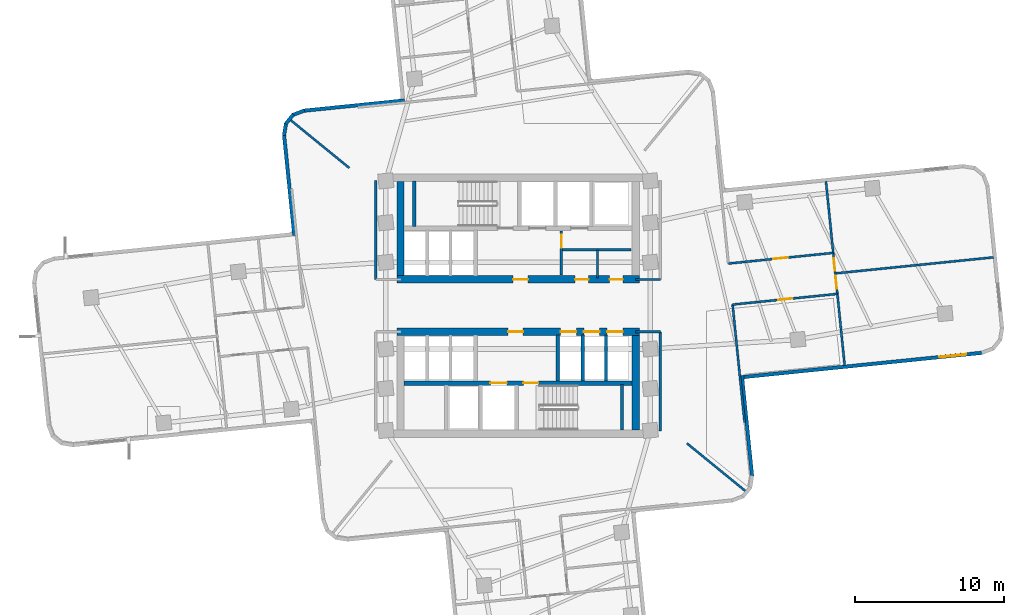
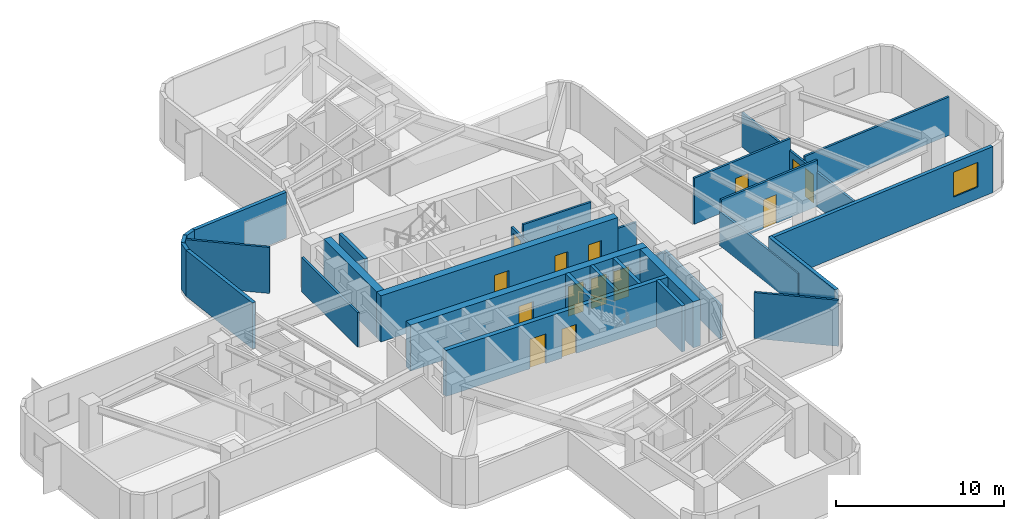
# One storey, part 4 of 9: 31 walls, 14 doors, 1 window, 15 openings.
"""IFC4 building model written with IfcOpenShell, lengths in metres."""

from ifc_helpers import new_model, si_unit, direction, frame, frame_2d, origin, place, context, subcontext, project, spatial, rectangle, extrude, material, layer, layer_set, type_object, element, fill, save


model = new_model("IFC4")

# Units and contexts
model_context = context("Model", 3, precision=1e-05, world=origin(), true_north=direction((0.0, 1.0)))
body_context = subcontext(model_context, "Body", "Model", "MODEL_VIEW")
ifc_project = project(units=[si_unit("LENGTHUNIT", "METRE"), si_unit("AREAUNIT", "SQUARE_METRE"), si_unit("VOLUMEUNIT", "CUBIC_METRE"), si_unit("PLANEANGLEUNIT", "RADIAN"), si_unit("MASSUNIT", "GRAM", prefix="KILO")], contexts=[model_context])

# Site, building, storey
site_placement = place(None, origin())
site = spatial("IfcSite", under=ifc_project, at=site_placement, CompositionType="ELEMENT")
building_placement = place(site_placement, origin())
building = spatial("IfcBuilding", under=site, at=building_placement, Name="Solmarez Civic Tower", CompositionType="ELEMENT")
storey_placement = place(building_placement, frame((0.0, 0.0, 71.280029296875)))
storey = spatial("IfcBuildingStorey", under=building, at=storey_placement, Name="L18", CompositionType="ELEMENT", Elevation=71.280029296875)

# Wall, openings, doors
ifc_material_1 = material(Name="Concrete C60/75", Category="concrete")
ifc_layer_1 = layer(ifc_material_1, 0.5)
ifc_layer_set_1 = layer_set([ifc_layer_1], Name="Concrete C60/75")
wall_type_1 = type_object("IfcWallType", Name="WALL-CORE-500", PredefinedType="SHEAR", material=ifc_layer_set_1)
wall_1_placement = place(storey_placement, frame((8.1201171875, 1.75, 0.0), z_axis=(0.0, 0.0, 1.0), x_axis=(-1.0, 0.0, 0.0)))
wall_1 = element("IfcWall", 1, at=wall_1_placement, inside=storey, type_object=wall_type_1, Name="L18 Split-Core Structural Wall NCW-S-L18", PredefinedType="SHEAR", context=body_context, shape_type="SweptSolid", body=[
    extrude(rectangle(XDim=16.240234375, YDim=0.5, at=frame_2d((8.1201171875, 0.0))), origin(), (0.0, 0.0, 1.0), 3.340087890625),
])
opening_1_placement = place(wall_1_placement, frame((7.449951171875, 0.0, 0.0)))
opening_1 = element("IfcOpeningElement", 2, at=opening_1_placement, cuts=wall_1, Name="Opening D-04", PredefinedType="OPENING", context=body_context, shape_type="SweptSolid", body=[
    extrude(rectangle(XDim=1.0, YDim=2.10009765625, at=frame_2d((0.5, 1.050048828125))), frame((0.0, 0.260009765625, 0.0), z_axis=(0.0, -1.0, 0.0), x_axis=(1.0, 0.0, 0.0)), (0.0, 0.0, 1.0), 0.52001953125),
])
opening_2_placement = place(wall_1_placement, frame((3.39990234375, 0.0, 0.0)))
opening_2 = element("IfcOpeningElement", 3, at=opening_2_placement, cuts=wall_1, Name="Opening D-09", PredefinedType="OPENING", context=body_context, shape_type="SweptSolid", body=[
    extrude(rectangle(XDim=0.89990234375, YDim=2.06005859375, at=frame_2d((0.449951171875, 1.030029296875))), frame((0.0, 0.260009765625, 0.0), z_axis=(0.0, -1.0, 0.0), x_axis=(1.0, 0.0, 0.0)), (0.0, 0.0, 1.0), 0.52001953125),
])
opening_3_placement = place(wall_1_placement, frame((1.10009765625, 0.0, 0.0)))
opening_3 = element("IfcOpeningElement", 4, at=opening_3_placement, cuts=wall_1, Name="Opening D-09", PredefinedType="OPENING", context=body_context, shape_type="SweptSolid", body=[
    extrude(rectangle(XDim=0.89990234375, YDim=2.06005859375, at=frame_2d((0.449951171875, 1.030029296875))), frame((0.0, 0.260009765625, 0.0), z_axis=(0.0, -1.0, 0.0), x_axis=(1.0, 0.0, 0.0)), (0.0, 0.0, 1.0), 0.52001953125),
])
ifc_material_2 = material(Name="Steel-Faced Acoustic Fire Door", Category="steel")
door_type_1 = type_object("IfcDoorType", Name="DOOR-FD60-1000", OperationType="NOTDEFINED", PredefinedType="DOOR", material=ifc_material_2)
door_1_placement = place(opening_1_placement, origin())
door_1 = element("IfcDoor", 5, at=door_1_placement, inside=storey, type_object=door_type_1, Name="L18 North Firefighting Lobby Door", OperationType="SINGLE_SWING_LEFT", OverallHeight=2.10009765625, OverallWidth=1.0, PredefinedType="DOOR", context=body_context, shape_type="SweptSolid", body=[
    extrude(rectangle(XDim=1.0, YDim=2.10009765625, at=frame_2d((0.5, 1.050048828125))), frame((0.0, 0.02490234375, 0.0), z_axis=(0.0, -1.0, 0.0), x_axis=(1.0, 0.0, 0.0)), (0.0, 0.0, 1.0), 0.050048828125),
])
fill(opening_1, door_1)
ifc_material_3 = material(Name="Fire-Rated Service Core Door", Category="wood")
door_type_2 = type_object("IfcDoorType", Name="DOOR-FD60-900", OperationType="NOTDEFINED", PredefinedType="DOOR", material=ifc_material_3)
door_2_placement = place(opening_2_placement, origin())
door_2 = element("IfcDoor", 6, at=door_2_placement, inside=storey, type_object=door_type_2, Name="L18 Core WC Door", OperationType="SINGLE_SWING_LEFT", OverallHeight=2.06005859375, OverallWidth=0.89990234375, PredefinedType="DOOR", context=body_context, shape_type="SweptSolid", body=[
    extrude(rectangle(XDim=0.89990234375, YDim=2.06005859375, at=frame_2d((0.449951171875, 1.030029296875))), frame((0.0, 0.02490234375, 0.0), z_axis=(0.0, -1.0, 0.0), x_axis=(1.0, 0.0, 0.0)), (0.0, 0.0, 1.0), 0.050048828125),
])
fill(opening_2, door_2)
door_3_placement = place(opening_3_placement, origin())
door_3 = element("IfcDoor", 7, at=door_3_placement, inside=storey, type_object=door_type_2, Name="L18 Core CL Door", OperationType="SINGLE_SWING_RIGHT", OverallHeight=2.06005859375, OverallWidth=0.89990234375, PredefinedType="DOOR", context=body_context, shape_type="SweptSolid", body=[
    extrude(rectangle(XDim=0.89990234375, YDim=2.06005859375, at=frame_2d((0.449951171875, 1.030029296875))), frame((0.0, 0.02490234375, 0.0), z_axis=(0.0, -1.0, 0.0), x_axis=(1.0, 0.0, 0.0)), (0.0, 0.0, 1.0), 0.050048828125),
])
fill(opening_3, door_3)

# Wall
wall_2_placement = place(storey_placement, frame((-7.8701171875, 2.0, 0.0), z_axis=(0.0, 0.0, 1.0), x_axis=(0.0, 1.0, 0.0)))
element("IfcWall", 8, at=wall_2_placement, inside=storey, type_object=wall_type_1, Name="L18 Split-Core Structural Wall NCW-W-L18", PredefinedType="SHEAR", context=body_context, shape_type="SweptSolid", body=[
    extrude(rectangle(XDim=6.31005859375, YDim=0.5, at=frame_2d((3.155029296875, 0.0))), origin(), (0.0, 0.0, 1.0), 3.340087890625),
])

# Wall, openings, doors
wall_3_placement = place(storey_placement, frame((-8.1201171875, -1.75, 0.0), z_axis=(0.0, 0.0, 1.0), x_axis=(1.0, 0.0, 0.0)))
wall_3 = element("IfcWall", 9, at=wall_3_placement, inside=storey, type_object=wall_type_1, Name="L18 Split-Core Structural Wall SCW-N-L18", PredefinedType="SHEAR", context=body_context, shape_type="SweptSolid", body=[
    extrude(rectangle(XDim=16.240234375, YDim=0.5, at=frame_2d((8.1201171875, 0.0))), origin(), (0.0, 0.0, 1.0), 3.340087890625),
])
opening_4_placement = place(wall_3_placement, frame((7.449951171875, 0.0, 0.0)))
opening_4 = element("IfcOpeningElement", 10, at=opening_4_placement, cuts=wall_3, Name="Opening D-04", PredefinedType="OPENING", context=body_context, shape_type="SweptSolid", body=[
    extrude(rectangle(XDim=1.0, YDim=2.10009765625, at=frame_2d((0.5, 1.050048828125))), frame((0.0, 0.260009765625, 0.0), z_axis=(0.0, -1.0, 0.0), x_axis=(1.0, 0.0, 0.0)), (0.0, 0.0, 1.0), 0.52001953125),
])
opening_5_placement = place(wall_3_placement, frame((10.965087890625, 0.0, 0.0)))
opening_5 = element("IfcOpeningElement", 11, at=opening_5_placement, cuts=wall_3, Name="Opening LD-01", PredefinedType="OPENING", context=body_context, shape_type="SweptSolid", body=[
    extrude(rectangle(XDim=1.050048828125, YDim=2.14990234375, at=frame_2d((0.52490234375, 1.074951171875))), frame((0.0, 0.260009765625, 0.0), z_axis=(0.0, -1.0, 0.0), x_axis=(1.0, 0.0, 0.0)), (0.0, 0.0, 1.0), 0.52001953125),
])
opening_6_placement = place(wall_3_placement, frame((12.52490234375, 0.0, 0.0)))
opening_6 = element("IfcOpeningElement", 12, at=opening_6_placement, cuts=wall_3, Name="Opening LD-01", PredefinedType="OPENING", context=body_context, shape_type="SweptSolid", body=[
    extrude(rectangle(XDim=1.050048828125, YDim=2.14990234375, at=frame_2d((0.52490234375, 1.074951171875))), frame((0.0, 0.260009765625, 0.0), z_axis=(0.0, -1.0, 0.0), x_axis=(1.0, 0.0, 0.0)), (0.0, 0.0, 1.0), 0.52001953125),
])
opening_7_placement = place(wall_3_placement, frame((14.0849609375, 0.0, 0.0)))
opening_7 = element("IfcOpeningElement", 13, at=opening_7_placement, cuts=wall_3, Name="Opening LD-01", PredefinedType="OPENING", context=body_context, shape_type="SweptSolid", body=[
    extrude(rectangle(XDim=1.050048828125, YDim=2.14990234375, at=frame_2d((0.52490234375, 1.074951171875))), frame((0.0, 0.260009765625, 0.0), z_axis=(0.0, -1.0, 0.0), x_axis=(1.0, 0.0, 0.0)), (0.0, 0.0, 1.0), 0.52001953125),
])
door_4_placement = place(opening_4_placement, origin())
door_4 = element("IfcDoor", 14, at=door_4_placement, inside=storey, type_object=door_type_1, Name="L18 South Firefighting Lobby Door", OperationType="SINGLE_SWING_RIGHT", OverallHeight=2.10009765625, OverallWidth=1.0, PredefinedType="DOOR", context=body_context, shape_type="SweptSolid", body=[
    extrude(rectangle(XDim=1.0, YDim=2.10009765625, at=frame_2d((0.5, 1.050048828125))), frame((0.0, 0.02490234375, 0.0), z_axis=(0.0, -1.0, 0.0), x_axis=(1.0, 0.0, 0.0)), (0.0, 0.0, 1.0), 0.050048828125),
])
fill(opening_4, door_4)
ifc_material_4 = material(Name="Bronze Passenger Lift Landing Sliding Door", Category="aluminium")
door_type_3 = type_object("IfcDoorType", Name="DOOR-LD-PAX-1050", OperationType="DOUBLE_DOOR_SLIDING", PredefinedType="DOOR", material=ifc_material_4)
door_5_placement = place(opening_5_placement, origin())
door_5 = element("IfcDoor", 15, at=door_5_placement, inside=storey, type_object=door_type_3, Name="L18 Low-Rise Lift Landing Door PL-L1", OperationType="DOUBLE_DOOR_SLIDING", OverallHeight=2.14990234375, OverallWidth=1.050048828125, PredefinedType="DOOR", context=body_context, shape_type="SweptSolid", body=[
    extrude(rectangle(XDim=1.050048828125, YDim=2.14990234375, at=frame_2d((0.52490234375, 1.074951171875))), frame((0.0, 0.02490234375, 0.0), z_axis=(0.0, -1.0, 0.0), x_axis=(1.0, 0.0, 0.0)), (0.0, 0.0, 1.0), 0.050048828125),
])
fill(opening_5, door_5)
door_6_placement = place(opening_6_placement, origin())
door_6 = element("IfcDoor", 16, at=door_6_placement, inside=storey, type_object=door_type_3, Name="L18 Low-Rise Lift Landing Door PL-L2", OperationType="DOUBLE_DOOR_SLIDING", OverallHeight=2.14990234375, OverallWidth=1.050048828125, PredefinedType="DOOR", context=body_context, shape_type="SweptSolid", body=[
    extrude(rectangle(XDim=1.050048828125, YDim=2.14990234375, at=frame_2d((0.52490234375, 1.074951171875))), frame((0.0, 0.02490234375, 0.0), z_axis=(0.0, -1.0, 0.0), x_axis=(1.0, 0.0, 0.0)), (0.0, 0.0, 1.0), 0.050048828125),
])
fill(opening_6, door_6)
door_7_placement = place(opening_7_placement, origin())
door_7 = element("IfcDoor", 17, at=door_7_placement, inside=storey, type_object=door_type_3, Name="L18 Low-Rise Lift Landing Door PL-L3", OperationType="DOUBLE_DOOR_SLIDING", OverallHeight=2.14990234375, OverallWidth=1.050048828125, PredefinedType="DOOR", context=body_context, shape_type="SweptSolid", body=[
    extrude(rectangle(XDim=1.050048828125, YDim=2.14990234375, at=frame_2d((0.52490234375, 1.074951171875))), frame((0.0, 0.02490234375, 0.0), z_axis=(0.0, -1.0, 0.0), x_axis=(1.0, 0.0, 0.0)), (0.0, 0.0, 1.0), 0.050048828125),
])
fill(opening_7, door_7)

# Walls
wall_4_placement = place(storey_placement, frame((7.8701171875, -2.0, 0.0), z_axis=(0.0, 0.0, 1.0), x_axis=(0.0, -1.0, 0.0)))
element("IfcWall", 18, at=wall_4_placement, inside=storey, type_object=wall_type_1, Name="L18 Split-Core Structural Wall SCW-E-L18", PredefinedType="SHEAR", context=body_context, shape_type="SweptSolid", body=[
    extrude(rectangle(XDim=6.31005859375, YDim=0.5, at=frame_2d((3.155029296875, 0.0))), origin(), (0.0, 0.0, 1.0), 3.340087890625),
])
ifc_material_5 = material(Name="Precast concrete C40/50", Category="concrete")
ifc_layer_2 = layer(ifc_material_5, 0.239990234375)
ifc_layer_set_2 = layer_set([ifc_layer_2], Name="Precast concrete C40/50")
wall_type_2 = type_object("IfcWallType", Name="WALL-EXT-240", PredefinedType="SOLIDWALL", material=ifc_layer_set_2)
wall_5_placement = place(storey_placement, frame((-14.98095703125, 4.694091796875, 0.0), z_axis=(0.0, 0.0, 1.0), x_axis=(-0.101105402534, 0.994875719665, 0.0)))
element("IfcWall", 19, at=wall_5_placement, inside=storey, type_object=wall_type_2, Name="L18 Exterior Precast Wall 13", PredefinedType="SOLIDWALL", context=body_context, shape_type="SweptSolid", body=[
    extrude(rectangle(XDim=6.775634765625, YDim=0.239990234375, at=frame_2d((3.3876953125, 0.0))), origin(), (0.0, 0.0, 1.0), 3.340087890625),
])
wall_6_placement = place(storey_placement, frame((-15.6669921875, 11.385009765625, 0.0), z_axis=(0.0, 0.0, 1.0), x_axis=(0.160156284613, 0.987091669755, 0.0)))
element("IfcWall", 20, at=wall_6_placement, inside=storey, type_object=wall_type_2, Name="L18 Exterior Precast Wall 14", PredefinedType="SOLIDWALL", context=body_context, shape_type="SweptSolid", body=[
    extrude(rectangle(XDim=0.830810546875, YDim=0.239990234375, at=frame_2d((0.41552734375, 0.0))), origin(), (0.0, 0.0, 1.0), 3.340087890625),
])
wall_7_placement = place(storey_placement, frame((-15.553955078125, 12.160888671875, 0.0), z_axis=(0.0, 0.0, 1.0), x_axis=(0.632027096542, 0.774946287969, 0.0)))
element("IfcWall", 21, at=wall_7_placement, inside=storey, type_object=wall_type_2, Name="L18 Exterior Precast Wall 15", PredefinedType="SOLIDWALL", context=body_context, shape_type="SweptSolid", body=[
    extrude(rectangle(XDim=0.813232421875, YDim=0.239990234375, at=frame_2d((0.40673828125, 0.0))), origin(), (0.0, 0.0, 1.0), 3.340087890625),
])
wall_8_placement = place(storey_placement, frame((-15.0791015625, 12.762939453125, 0.0), z_axis=(0.0, 0.0, 1.0), x_axis=(0.934687869602, 0.355469529522, 0.0)))
element("IfcWall", 22, at=wall_8_placement, inside=storey, type_object=wall_type_2, Name="L18 Exterior Precast Wall 16", PredefinedType="SOLIDWALL", context=body_context, shape_type="SweptSolid", body=[
    extrude(rectangle(XDim=0.830322265625, YDim=0.239990234375, at=frame_2d((0.4150390625, 0.0))), origin(), (0.0, 0.0, 1.0), 3.340087890625),
])
wall_9_placement = place(storey_placement, frame((-14.35107421875, 13.0458984375, 0.0), z_axis=(0.0, 0.0, 1.0), x_axis=(0.994861212257, 0.101248053545, 0.0)))
element("IfcWall", 23, at=wall_9_placement, inside=storey, type_object=wall_type_2, Name="L18 Exterior Precast Wall 17", PredefinedType="SOLIDWALL", context=body_context, shape_type="SweptSolid", body=[
    extrude(rectangle(XDim=6.77587890625, YDim=0.239990234375, at=frame_2d((3.387939453125, 0.0))), origin(), (0.0, 0.0, 1.0), 3.340087890625),
])

# Wall, opening, window
wall_10_placement = place(storey_placement, frame((31.0869140625, -3.154052734375, 0.0), z_axis=(0.0, 0.0, 1.0), x_axis=(-0.994872777564, -0.101134348577, 0.0)))
wall_10 = element("IfcWall", 24, at=wall_10_placement, inside=storey, type_object=wall_type_2, Name="L18 Exterior Precast Wall 46", PredefinedType="SOLIDWALL", context=body_context, shape_type="SweptSolid", body=[
    extrude(rectangle(XDim=16.275390625, YDim=0.239990234375, at=frame_2d((8.1376953125, 0.0))), origin(), (0.0, 0.0, 1.0), 3.340087890625),
])
opening_8_placement = place(wall_10_placement, frame((1.10009765625, 0.0, 0.85009765625)))
opening_8 = element("IfcOpeningElement", 25, at=opening_8_placement, cuts=wall_10, Name="Opening W-08", PredefinedType="OPENING", context=body_context, shape_type="SweptSolid", body=[
    extrude(rectangle(XDim=1.800048828125, YDim=1.800048828125, at=frame_2d((0.89990234375, 0.89990234375))), frame((0.0, 0.1298828125, 0.0), z_axis=(0.0, -1.0, 0.0), x_axis=(1.0, 0.0, 0.0)), (0.0, 0.0, 1.0), 0.260009765625),
])
ifc_material_6 = material(Name="Solar Control Bronze-Tinted Insulating Glass", Category="glass")
window_type = type_object("IfcWindowType", Name="WIN-1800X1800", PartitioningType="SINGLE_PANEL", PredefinedType="WINDOW", material=ifc_material_6)
window_placement = place(opening_8_placement, origin())
window = element("IfcWindow", 26, at=window_placement, inside=storey, type_object=window_type, Name="L18 Exterior Facade Window 46", OverallHeight=1.800048828125, OverallWidth=1.800048828125, PartitioningType="SINGLE_PANEL", PredefinedType="WINDOW", context=body_context, shape_type="SweptSolid", body=[
    extrude(rectangle(XDim=1.800048828125, YDim=1.800048828125, at=frame_2d((0.89990234375, 0.89990234375))), frame((0.0, 0.030029296875, 0.0), z_axis=(0.0, -1.0, 0.0), x_axis=(1.0, 0.0, 0.0)), (0.0, 0.0, 1.0), 0.06005859375),
])
fill(opening_8, window)

# Walls
wall_11_placement = place(storey_placement, frame((14.98095703125, -4.694091796875, 0.0), z_axis=(0.0, 0.0, 1.0), x_axis=(0.101105402534, -0.994875719665, 0.0)))
element("IfcWall", 27, at=wall_11_placement, inside=storey, type_object=wall_type_2, Name="L18 Exterior Precast Wall 49", PredefinedType="SOLIDWALL", context=body_context, shape_type="SweptSolid", body=[
    extrude(rectangle(XDim=6.775634765625, YDim=0.239990234375, at=frame_2d((3.3876953125, 0.0))), origin(), (0.0, 0.0, 1.0), 3.340087890625),
])
ifc_material_7 = material(Name="Gypsum Board Acoustic Steel-Stud Partition", Category="steel")
ifc_layer_3 = layer(ifc_material_7, 0.14990234375)
ifc_layer_set_3 = layer_set([ifc_layer_3], Name="Gypsum Board Acoustic Steel-Stud Partition")
wall_type_3 = type_object("IfcWallType", Name="WALL-INT-FIRE-150", PredefinedType="PARTITIONING", material=ifc_layer_set_3)
wall_12_placement = place(storey_placement, frame((-9.52001953125, 1.75, 0.0), z_axis=(0.0, 0.0, 1.0), x_axis=(0.0, 1.0, 0.0)))
element("IfcWall", 28, at=wall_12_placement, inside=storey, type_object=wall_type_3, Name="L18 Interior Partition CHW-L18-WN1", PredefinedType="PARTITIONING", context=body_context, shape_type="SweptSolid", body=[
    extrude(rectangle(XDim=6.6298828125, YDim=0.14990234375, at=frame_2d((3.31494140625, 0.0))), origin(), (0.0, 0.0, 1.0), 2.486083984375),
])
wall_13_placement = place(storey_placement, frame((7.85009765625, 1.75, 0.0), z_axis=(0.0, 0.0, 1.0), x_axis=(1.0, 0.0, 0.0)))
element("IfcWall", 29, at=wall_13_placement, inside=storey, type_object=wall_type_3, Name="L18 Interior Partition CHW-L18-EN3", PredefinedType="PARTITIONING", context=body_context, shape_type="SweptSolid", body=[
    extrude(rectangle(XDim=1.669921875, YDim=0.14990234375, at=frame_2d((0.8349609375, 0.0))), origin(), (0.0, 0.0, 1.0), 2.405029296875),
])
wall_14_placement = place(storey_placement, frame((9.52001953125, -8.3798828125, 0.0), z_axis=(0.0, 0.0, 1.0), x_axis=(0.0, 1.0, 0.0)))
element("IfcWall", 30, at=wall_14_placement, inside=storey, type_object=wall_type_3, Name="L18 Interior Partition CHW-L18-ES1", PredefinedType="PARTITIONING", context=body_context, shape_type="SweptSolid", body=[
    extrude(rectangle(XDim=6.6298828125, YDim=0.14990234375, at=frame_2d((3.31494140625, 0.0))), origin(), (0.0, 0.0, 1.0), 2.486083984375),
])
wall_15_placement = place(storey_placement, frame((7.85009765625, -1.75, 0.0), z_axis=(0.0, 0.0, 1.0), x_axis=(1.0, 0.0, 0.0)))
element("IfcWall", 31, at=wall_15_placement, inside=storey, type_object=wall_type_3, Name="L18 Interior Partition CHW-L18-ES3", PredefinedType="PARTITIONING", context=body_context, shape_type="SweptSolid", body=[
    extrude(rectangle(XDim=1.669921875, YDim=0.14990234375, at=frame_2d((0.8349609375, 0.0))), origin(), (0.0, 0.0, 1.0), 2.405029296875),
])
ifc_layer_4 = layer(ifc_material_7, 0.14501953125)
ifc_layer_set_4 = layer_set([ifc_layer_4], Name="Gypsum Board Acoustic Steel-Stud Partition")
wall_type_4 = type_object("IfcWallType", Name="WALL-INT-PART-150", PredefinedType="PARTITIONING", material=ifc_layer_set_4)
for number, where, z_axis, x_axis, name in (
    (32, (-11.300048828125, 9.216064453125, 0.0), (0.0, 0.0, 1.0), (-0.774936359867, 0.632039269473, 0.0), "L18 Interior Partition PT-L18-QDIV-2"),
    (33, (11.300048828125, -9.216064453125, 0.0), (0.0, 0.0, 1.0), (0.774936359867, -0.632039269473, 0.0), "L18 Interior Partition PT-L18-QDIV-4"),
):
    element("IfcWall", number, at=place(storey_placement, frame(where, z_axis=z_axis, x_axis=x_axis)), inside=storey, type_object=wall_type_4, Name=name, PredefinedType="PARTITIONING", context=body_context, shape_type="SweptSolid", body=[
        extrude(rectangle(XDim=5.072509765625, YDim=0.14501953125, at=frame_2d((2.5361328125, 0.0))), origin(), (0.0, 0.0, 1.0), 3.340087890625),
    ])
wall_16_placement = place(storey_placement, frame((15.158935546875, -7.827880859375, 0.0), z_axis=(0.0, 0.0, 1.0), x_axis=(-0.101130341041, 0.994873184944, 0.0)))
element("IfcWall", 34, at=wall_16_placement, inside=storey, type_object=wall_type_4, Name="L18 Interior Partition PT-L18-E-EFR", PredefinedType="PARTITIONING", context=body_context, shape_type="SweptSolid", body=[
    extrude(rectangle(XDim=7.94970703125, YDim=0.14501953125, at=frame_2d((3.974853515625, 0.0))), origin(), (0.0, 0.0, 1.0), 2.486083984375),
])

# Wall, opening, door
wall_17_placement = place(storey_placement, frame((21.091064453125, 3.529052734375, 0.0), z_axis=(0.0, 0.0, 1.0), x_axis=(-0.994885188523, -0.101012185692, 0.0)))
wall_17 = element("IfcWall", 35, at=wall_17_placement, inside=storey, type_object=wall_type_4, Name="L18 Interior Partition PT-L18-E-SL", PredefinedType="PARTITIONING", context=body_context, shape_type="SweptSolid", body=[
    extrude(rectangle(XDim=7.05029296875, YDim=0.14501953125, at=frame_2d((3.525146484375, 0.0))), origin(), (0.0, 0.0, 1.0), 3.340087890625),
])
opening_9_placement = place(wall_17_placement, frame((3.074951171875, 0.0, 0.0)))
opening_9 = element("IfcOpeningElement", 36, at=opening_9_placement, cuts=wall_17, Name="Opening D-10", PredefinedType="OPENING", context=body_context, shape_type="SweptSolid", body=[
    extrude(rectangle(XDim=0.949951171875, YDim=2.080078125, at=frame_2d((0.47509765625, 1.0400390625))), frame((0.0, 0.08251953125, 0.0), z_axis=(0.0, -1.0, 0.0), x_axis=(1.0, 0.0, 0.0)), (0.0, 0.0, 1.0), 0.1650390625),
])
ifc_material_8 = material(Name="Solid-Core Timber Ministry Office Door", Category="wood")
door_type_4 = type_object("IfcDoorType", Name="DOOR-INT-950", OperationType="NOTDEFINED", PredefinedType="DOOR", material=ifc_material_8)
door_8_placement = place(opening_9_placement, origin())
door_8 = element("IfcDoor", 37, at=door_8_placement, inside=storey, type_object=door_type_4, Name="L18 Co-Working Policy Workspace East Door", OperationType="SINGLE_SWING_LEFT", OverallHeight=2.080078125, OverallWidth=0.949951171875, PredefinedType="DOOR", context=body_context, shape_type="SweptSolid", body=[
    extrude(rectangle(XDim=0.949951171875, YDim=2.080078125, at=frame_2d((0.47509765625, 1.0400390625))), frame((0.0, 0.02490234375, 0.0), z_axis=(0.0, -1.0, 0.0), x_axis=(1.0, 0.0, 0.0)), (0.0, 0.0, 1.0), 0.050048828125),
])
fill(opening_9, door_8)

wall_18_placement = place(storey_placement, frame((14.35595703125, 0.071044921875, 0.0), z_axis=(0.0, 0.0, 1.0), x_axis=(0.994874743202, 0.101115010447, 0.0)))
wall_18 = element("IfcWall", 38, at=wall_18_placement, inside=storey, type_object=wall_type_4, Name="L18 Interior Partition PT-L18-E-SR", PredefinedType="PARTITIONING", context=body_context, shape_type="SweptSolid", body=[
    extrude(rectangle(XDim=7.05029296875, YDim=0.14501953125, at=frame_2d((3.525146484375, 0.0))), origin(), (0.0, 0.0, 1.0), 3.340087890625),
])
opening_10_placement = place(wall_18_placement, frame((3.074951171875, 0.0, 0.0)))
opening_10 = element("IfcOpeningElement", 39, at=opening_10_placement, cuts=wall_18, Name="Opening D-10", PredefinedType="OPENING", context=body_context, shape_type="SweptSolid", body=[
    extrude(rectangle(XDim=0.949951171875, YDim=2.080078125, at=frame_2d((0.47509765625, 1.0400390625))), frame((0.0, 0.08251953125, 0.0), z_axis=(0.0, -1.0, 0.0), x_axis=(1.0, 0.0, 0.0)), (0.0, 0.0, 1.0), 0.1650390625),
])
door_9_placement = place(opening_10_placement, origin())
door_9 = element("IfcDoor", 40, at=door_9_placement, inside=storey, type_object=door_type_4, Name="L18 Breakout Huddle Room East Door", OperationType="SINGLE_SWING_RIGHT", OverallHeight=2.080078125, OverallWidth=0.949951171875, PredefinedType="DOOR", context=body_context, shape_type="SweptSolid", body=[
    extrude(rectangle(XDim=0.949951171875, YDim=2.080078125, at=frame_2d((0.47509765625, 1.0400390625))), frame((0.0, 0.02490234375, 0.0), z_axis=(0.0, -1.0, 0.0), x_axis=(1.0, 0.0, 0.0)), (0.0, 0.0, 1.0), 0.050048828125),
])
fill(opening_10, door_9)

# Wall
wall_19_placement = place(storey_placement, frame((21.2900390625, 2.1630859375, 0.0), z_axis=(0.0, 0.0, 1.0), x_axis=(0.994879916843, 0.101064093832, 0.0)))
element("IfcWall", 41, at=wall_19_placement, inside=storey, type_object=wall_type_4, Name="L18 Interior Partition PT-L18-E-TM", PredefinedType="PARTITIONING", context=body_context, shape_type="SweptSolid", body=[
    extrude(rectangle(XDim=10.59521484375, YDim=0.14501953125, at=frame_2d((5.297607421875, 0.0))), origin(), (0.0, 0.0, 1.0), 2.79296875),
])

# Wall, openings, doors
wall_20_placement = place(storey_placement, frame((20.60498046875, 8.320068359375, 0.0), z_axis=(0.0, 0.0, 1.0), x_axis=(0.101040883761, -0.994882274346, 0.0)))
wall_20 = element("IfcWall", 42, at=wall_20_placement, inside=storey, type_object=wall_type_4, Name="L18 Interior Partition PT-L18-E-END", PredefinedType="PARTITIONING", context=body_context, shape_type="SweptSolid", body=[
    extrude(rectangle(XDim=12.390625, YDim=0.14501953125, at=frame_2d((6.1953125, 0.0))), origin(), (0.0, 0.0, 1.0), 2.486083984375),
])
opening_11_placement = place(wall_20_placement, frame((6.364990234375, 0.0, 0.0)))
opening_11 = element("IfcOpeningElement", 43, at=opening_11_placement, cuts=wall_20, Name="Opening D-14", PredefinedType="OPENING", context=body_context, shape_type="SweptSolid", body=[
    extrude(rectangle(XDim=0.860107421875, YDim=2.0400390625, at=frame_2d((0.43017578125, 1.02001953125))), frame((0.0, 0.08251953125, 0.0), z_axis=(0.0, -1.0, 0.0), x_axis=(1.0, 0.0, 0.0)), (0.0, 0.0, 1.0), 0.1650390625),
])
opening_12_placement = place(wall_20_placement, frame((5.1650390625, 0.0, 0.0)))
opening_12 = element("IfcOpeningElement", 44, at=opening_12_placement, cuts=wall_20, Name="Opening D-14", PredefinedType="OPENING", context=body_context, shape_type="SweptSolid", body=[
    extrude(rectangle(XDim=0.860107421875, YDim=2.0400390625, at=frame_2d((0.43017578125, 1.02001953125))), frame((0.0, 0.08251953125, 0.0), z_axis=(0.0, -1.0, 0.0), x_axis=(1.0, 0.0, 0.0)), (0.0, 0.0, 1.0), 0.1650390625),
])
ifc_material_9 = material(Name="Timber Storage and Pantry Door", Category="wood")
door_type_5 = type_object("IfcDoorType", Name="DOOR-INT-850", OperationType="NOTDEFINED", PredefinedType="DOOR", material=ifc_material_9)
door_10_placement = place(opening_11_placement, origin())
door_10 = element("IfcDoor", 45, at=door_10_placement, inside=storey, type_object=door_type_5, Name="L18 Staff Tea Pantry Sixth East Door", OperationType="SINGLE_SWING_RIGHT", OverallHeight=2.0400390625, OverallWidth=0.860107421875, PredefinedType="DOOR", context=body_context, shape_type="SweptSolid", body=[
    extrude(rectangle(XDim=0.860107421875, YDim=2.0400390625, at=frame_2d((0.43017578125, 1.02001953125))), frame((0.0, 0.02490234375, 0.0), z_axis=(0.0, -1.0, 0.0), x_axis=(1.0, 0.0, 0.0)), (0.0, 0.0, 1.0), 0.050048828125),
])
fill(opening_11, door_10)
door_11_placement = place(opening_12_placement, origin())
door_11 = element("IfcDoor", 46, at=door_11_placement, inside=storey, type_object=door_type_5, Name="L18 Municipal Mailroom Fifth East Door", OperationType="SINGLE_SWING_LEFT", OverallHeight=2.0400390625, OverallWidth=0.860107421875, PredefinedType="DOOR", context=body_context, shape_type="SweptSolid", body=[
    extrude(rectangle(XDim=0.860107421875, YDim=2.0400390625, at=frame_2d((0.43017578125, 1.02001953125))), frame((0.0, 0.02490234375, 0.0), z_axis=(0.0, -1.0, 0.0), x_axis=(1.0, 0.0, 0.0)), (0.0, 0.0, 1.0), 0.050048828125),
])
fill(opening_12, door_11)

# Wall, opening, door
ifc_layer_5 = layer(ifc_material_7, 0.159912109375)
ifc_layer_set_5 = layer_set([ifc_layer_5], Name="Gypsum Board Acoustic Steel-Stud Partition")
wall_type_5 = type_object("IfcWallType", Name="WALL-INT-SHAFT-160", PredefinedType="PARTITIONING", material=ifc_layer_set_5)
wall_21_placement = place(storey_placement, frame((2.89990234375, 2.0400390625, 0.0), z_axis=(0.0, 0.0, 1.0), x_axis=(0.0, 1.0, 0.0)))
wall_21 = element("IfcWall", 47, at=wall_21_placement, inside=storey, type_object=wall_type_5, Name="L18 Interior Partition SHW-NL2-L18", PredefinedType="PARTITIONING", context=body_context, shape_type="SweptSolid", body=[
    extrude(rectangle(XDim=2.93994140625, YDim=0.159912109375, at=frame_2d((1.469970703125, 0.0))), origin(), (0.0, 0.0, 1.0), 2.405029296875),
])
opening_13_placement = place(wall_21_placement, frame((1.820068359375, 0.0, 0.0)))
opening_13 = element("IfcOpeningElement", 48, at=opening_13_placement, cuts=wall_21, Name="Opening D-09", PredefinedType="OPENING", context=body_context, shape_type="SweptSolid", body=[
    extrude(rectangle(XDim=0.89990234375, YDim=2.06005859375, at=frame_2d((0.449951171875, 1.030029296875))), frame((0.0, 0.08984375, 0.0), z_axis=(0.0, -1.0, 0.0), x_axis=(1.0, 0.0, 0.0)), (0.0, 0.0, 1.0), 0.179931640625),
])
door_12_placement = place(opening_13_placement, origin())
door_12 = element("IfcDoor", 49, at=door_12_placement, inside=storey, type_object=door_type_2, Name="L18 Service Lift Lobby Door", OperationType="SINGLE_SWING_LEFT", OverallHeight=2.06005859375, OverallWidth=0.89990234375, PredefinedType="DOOR", context=body_context, shape_type="SweptSolid", body=[
    extrude(rectangle(XDim=0.89990234375, YDim=2.06005859375, at=frame_2d((0.449951171875, 1.030029296875))), frame((0.0, 0.02490234375, 0.0), z_axis=(0.0, -1.0, 0.0), x_axis=(1.0, 0.0, 0.0)), (0.0, 0.0, 1.0), 0.050048828125),
])
fill(opening_13, door_12)

# Walls
ifc_layer_6 = layer(ifc_material_7, 0.137939453125)
ifc_layer_set_6 = layer_set([ifc_layer_6], Name="Gypsum Board Acoustic Steel-Stud Partition")
wall_type_6 = type_object("IfcWallType", Name="WALL-INT-WET-140", PredefinedType="PARTITIONING", material=ifc_layer_set_6)
wall_22_placement = place(storey_placement, frame((2.89990234375, 3.739990234375, 0.0), z_axis=(0.0, 0.0, 1.0), x_axis=(1.0, 0.0, 0.0)))
element("IfcWall", 50, at=wall_22_placement, inside=storey, type_object=wall_type_6, Name="L18 Interior Partition SHW-SVH-L18", PredefinedType="PARTITIONING", context=body_context, shape_type="SweptSolid", body=[
    extrude(rectangle(XDim=4.650146484375, YDim=0.137939453125, at=frame_2d((2.3251953125, 0.0))), origin(), (0.0, 0.0, 1.0), 3.340087890625),
])
wall_23_placement = place(storey_placement, frame((5.300048828125, 1.85009765625, 0.0), z_axis=(0.0, 0.0, 1.0), x_axis=(0.0, 1.0, 0.0)))
element("IfcWall", 51, at=wall_23_placement, inside=storey, type_object=wall_type_6, Name="L18 Interior Partition PT-NCSV-L18", PredefinedType="PARTITIONING", context=body_context, shape_type="SweptSolid", body=[
    extrude(rectangle(XDim=1.889892578125, YDim=0.137939453125, at=frame_2d((0.94482421875, 0.0))), origin(), (0.0, 0.0, 1.0), 2.405029296875),
])

# Wall, openings, doors
ifc_material_10 = material(Name="Concrete C50/60", Category="concrete")
ifc_layer_7 = layer(ifc_material_10, 0.300048828125)
ifc_layer_set_7 = layer_set([ifc_layer_7], Name="Concrete C50/60")
wall_type_7 = type_object("IfcWallType", Name="WALL-STR-300", PredefinedType="SOLIDWALL", material=ifc_layer_set_7)
wall_24_placement = place(storey_placement, frame((-7.6201171875, -5.179931640625, 0.0), z_axis=(0.0, 0.0, 1.0), x_axis=(1.0, 0.0, 0.0)))
wall_24 = element("IfcWall", 52, at=wall_24_placement, inside=storey, type_object=wall_type_7, Name="L18 Split-Core Structural Wall SCW-M-L18", PredefinedType="SOLIDWALL", context=body_context, shape_type="SweptSolid", body=[
    extrude(rectangle(XDim=15.240234375, YDim=0.300048828125, at=frame_2d((7.6201171875, 0.0))), origin(), (0.0, 0.0, 1.0), 3.340087890625),
])
opening_14_placement = place(wall_24_placement, frame((5.77001953125, 0.0, 0.0)))
opening_14 = element("IfcOpeningElement", 53, at=opening_14_placement, cuts=wall_24, Name="Opening LD-02", PredefinedType="OPENING", context=body_context, shape_type="SweptSolid", body=[
    extrude(rectangle(XDim=1.10009765625, YDim=2.14990234375, at=frame_2d((0.550048828125, 1.074951171875))), frame((0.0, 0.159912109375, 0.0), z_axis=(0.0, -1.0, 0.0), x_axis=(1.0, 0.0, 0.0)), (0.0, 0.0, 1.0), 0.320068359375),
])
opening_15_placement = place(wall_24_placement, frame((7.969970703125, 0.0, 0.0)))
opening_15 = element("IfcOpeningElement", 54, at=opening_15_placement, cuts=wall_24, Name="Opening D-05", PredefinedType="OPENING", context=body_context, shape_type="SweptSolid", body=[
    extrude(rectangle(XDim=1.0, YDim=2.10009765625, at=frame_2d((0.5, 1.050048828125))), frame((0.0, 0.159912109375, 0.0), z_axis=(0.0, -1.0, 0.0), x_axis=(1.0, 0.0, 0.0)), (0.0, 0.0, 1.0), 0.320068359375),
])
ifc_material_11 = material(Name="Fire-Rated Stairwell Exit Door", Category="wood")
door_type_6 = type_object("IfcDoorType", Name="DOOR-FD90-1000", OperationType="NOTDEFINED", PredefinedType="DOOR", material=ifc_material_11)
door_13_placement = place(opening_15_placement, origin())
door_13 = element("IfcDoor", 55, at=door_13_placement, inside=storey, type_object=door_type_6, Name="L18 South Exit Stair Door ST-2", OperationType="SINGLE_SWING_RIGHT", OverallHeight=2.10009765625, OverallWidth=1.0, PredefinedType="DOOR", context=body_context, shape_type="SweptSolid", body=[
    extrude(rectangle(XDim=1.0, YDim=2.10009765625, at=frame_2d((0.5, 1.050048828125))), frame((0.0, 0.02490234375, 0.0), z_axis=(0.0, -1.0, 0.0), x_axis=(1.0, 0.0, 0.0)), (0.0, 0.0, 1.0), 0.050048828125),
])
fill(opening_15, door_13)
ifc_material_12 = material(Name="Stainless Firefighting Lift Landing Sliding Door", Category="aluminium")
door_type_7 = type_object("IfcDoorType", Name="DOOR-LD-FF-1100", OperationType="DOUBLE_DOOR_SLIDING", PredefinedType="DOOR", material=ifc_material_12)
door_14_placement = place(opening_14_placement, origin())
door_14 = element("IfcDoor", 56, at=door_14_placement, inside=storey, type_object=door_type_7, Name="L18 Firefighting Lift Landing Door FFL-2", OperationType="DOUBLE_DOOR_SLIDING", OverallHeight=2.14990234375, OverallWidth=1.10009765625, PredefinedType="DOOR", context=body_context, shape_type="SweptSolid", body=[
    extrude(rectangle(XDim=1.10009765625, YDim=2.14990234375, at=frame_2d((0.550048828125, 1.074951171875))), frame((0.0, 0.02490234375, 0.0), z_axis=(0.0, -1.0, 0.0), x_axis=(1.0, 0.0, 0.0)), (0.0, 0.0, 1.0), 0.050048828125),
])
fill(opening_14, door_14)

# Walls
for number, where, z_axis, x_axis, name in (
    (57, (-6.949951171875, 5.280029296875, 0.0), (0.0, 0.0, 1.0), (0.0, 1.0, 0.0), "L18 Split-Core Structural Wall SHW-NW-L18"),
    (58, (6.949951171875, -8.340087890625, 0.0), (0.0, 0.0, 1.0), (0.0, 1.0, 0.0), "L18 Split-Core Structural Wall SHW-SE-L18"),
):
    element("IfcWall", number, at=place(storey_placement, frame(where, z_axis=z_axis, x_axis=x_axis)), inside=storey, type_object=wall_type_7, Name=name, PredefinedType="SOLIDWALL", context=body_context, shape_type="SweptSolid", body=[
        extrude(rectangle(XDim=3.06005859375, YDim=0.219970703125, at=frame_2d((1.530029296875, 0.0))), origin(), (0.0, 0.0, 1.0), 3.340087890625),
    ])
wall_25_placement = place(storey_placement, frame((2.64990234375, -5.050048828125, 0.0), z_axis=(0.0, 0.0, 1.0), x_axis=(0.0, 1.0, 0.0)))
element("IfcWall", 59, at=wall_25_placement, inside=storey, type_object=wall_type_7, Name="L18 Split-Core Structural Wall SHW-SL2-L18", PredefinedType="SOLIDWALL", context=body_context, shape_type="SweptSolid", body=[
    extrude(rectangle(XDim=3.070068359375, YDim=0.25, at=frame_2d((1.53515625, 0.0))), origin(), (0.0, 0.0, 1.0), 3.340087890625),
])
for number, where, z_axis, x_axis, name in (
    (60, (4.320068359375, -5.050048828125, 0.0), (0.0, 0.0, 1.0), (0.0, 1.0, 0.0), "L18 Split-Core Structural Wall SHW-PLL-L18-1"),
    (61, (5.8798828125, -5.050048828125, 0.0), (0.0, 0.0, 1.0), (0.0, 1.0, 0.0), "L18 Split-Core Structural Wall SHW-PLL-L18-2"),
):
    element("IfcWall", number, at=place(storey_placement, frame(where, z_axis=z_axis, x_axis=x_axis)), inside=storey, type_object=wall_type_7, Name=name, PredefinedType="SOLIDWALL", context=body_context, shape_type="SweptSolid", body=[
        extrude(rectangle(XDim=3.070068359375, YDim=0.219970703125, at=frame_2d((1.53515625, 0.0))), origin(), (0.0, 0.0, 1.0), 3.340087890625),
    ])

save(model, "model.ifc")
